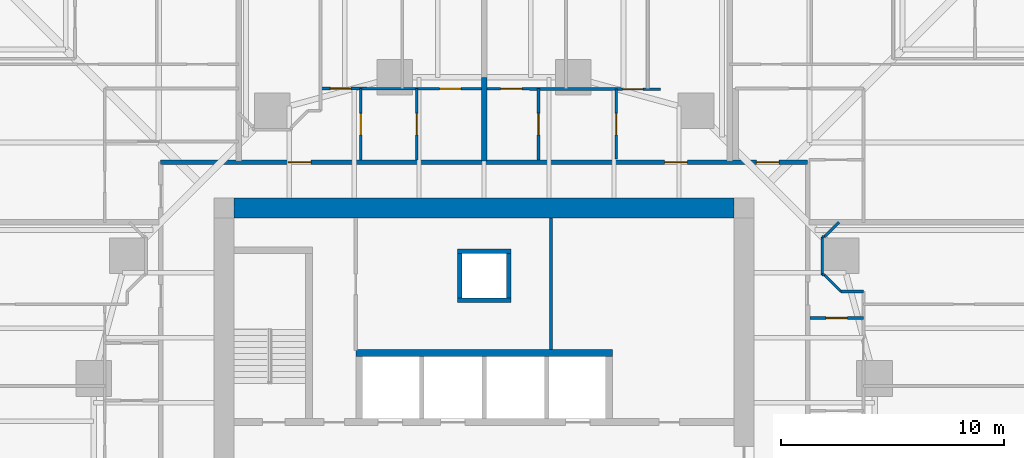
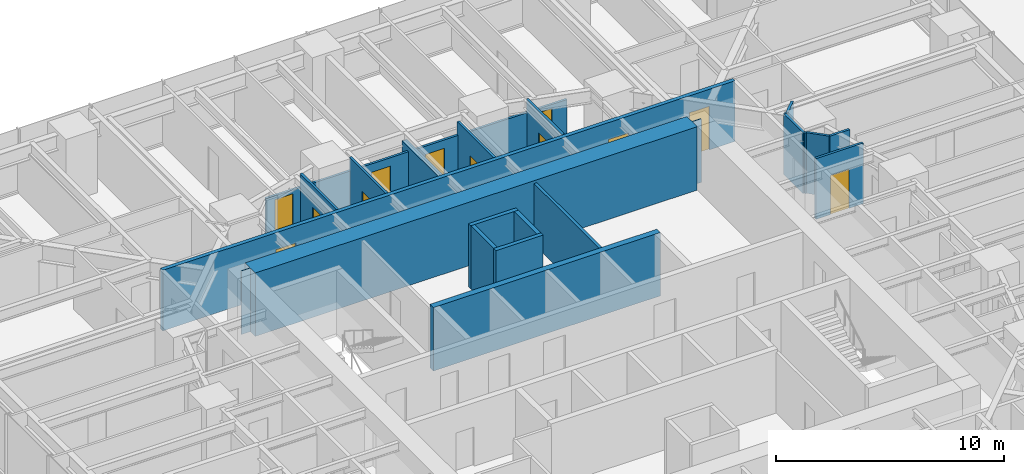
# One storey, part 12 of 15: 21 walls, 12 doors, 12 openings.
"""IFC4 building model written with IfcOpenShell, lengths in metres."""

from ifc_helpers import new_model, si_unit, direction, frame, frame_2d, origin, place, context, subcontext, project, spatial, polyline, rectangle, outline, extrude, material, layer, layer_set, type_object, element, fill, save


model = new_model("IFC4")

# Units and contexts
model_context = context("Model", 3, precision=1e-05, world=origin(), true_north=direction((0.0, 1.0)))
body_context = subcontext(model_context, "Body", "Model", "MODEL_VIEW")
ifc_project = project(units=[si_unit("LENGTHUNIT", "METRE"), si_unit("AREAUNIT", "SQUARE_METRE"), si_unit("VOLUMEUNIT", "CUBIC_METRE"), si_unit("PLANEANGLEUNIT", "RADIAN"), si_unit("MASSUNIT", "GRAM", prefix="KILO")], contexts=[model_context])

# Site, building, storey
site_placement = place(None, origin())
site = spatial("IfcSite", under=ifc_project, at=site_placement, CompositionType="ELEMENT")
building_placement = place(site_placement, origin())
building = spatial("IfcBuilding", under=site, at=building_placement, Name="Torsade Residences", CompositionType="ELEMENT")
storey_placement = place(building_placement, frame((0.0, 0.0, 15.0)))
storey = spatial("IfcBuildingStorey", under=building, at=storey_placement, Name="L03", CompositionType="ELEMENT", Elevation=15.0)

# Walls
ifc_material_1 = material(Name="Concrete 80 MPa", Category="concrete")
ifc_layer_1 = layer(ifc_material_1, 0.300048828125)
ifc_layer_set_1 = layer_set([ifc_layer_1], Name="Concrete 80 MPa")
wall_type_1 = type_object("IfcWallType", Name="CORE INTERNAL WALL 300", PredefinedType="SHEAR", material=ifc_layer_set_1)
wall_1_placement = place(storey_placement, frame((34.25, 35.14990234375, 0.0), z_axis=(0.0, 0.0, 1.0), x_axis=(1.0, 0.0, 0.0)))
element("IfcWall", 1, at=wall_1_placement, inside=storey, type_object=wall_type_1, Name="Core wall BN L03", PredefinedType="SHEAR", context=body_context, shape_type="SweptSolid", body=[
    extrude(rectangle(XDim=11.5, YDim=0.300048828125, at=frame_2d((5.75, 0.0))), origin(), (0.0, 0.0, 1.0), 3.39990234375),
])
ifc_material_2 = material(Name="Concrete 80 MPa", Category="concrete")
ifc_layer_2 = layer(ifc_material_2, 0.89990234375)
ifc_layer_set_2 = layer_set([ifc_layer_2], Name="Concrete 80 MPa")
wall_type_2 = type_object("IfcWallType", Name="CORE WALL 900", PredefinedType="SHEAR", material=ifc_layer_set_2)
wall_2_placement = place(storey_placement, frame((28.800048828125, 41.64990234375, 0.0), z_axis=(0.0, 0.0, 1.0), x_axis=(1.0, 0.0, 0.0)))
element("IfcWall", 2, at=wall_2_placement, inside=storey, type_object=wall_type_2, Name="Core wall N L03", PredefinedType="SHEAR", context=body_context, shape_type="SweptSolid", body=[
    extrude(outline(polyline([(0.0, -0.449951171875), (22.39990234375, -0.449951171875), (22.39990234375, -0.02490234375), (22.849853515625, -0.02490234375), (22.849853515625, 0.02490234375), (22.39990234375, 0.02490234375), (22.39990234375, 0.449951171875), (0.0, 0.449951171875), (0.0, 0.02490234375), (-0.449951171875, 0.02490234375), (-0.449951171875, -0.02490234375), (0.0, -0.02490234375), (0.0, -0.449951171875)])), origin(), (0.0, 0.0, 1.0), 3.39990234375),
])

# Wall, openings, doors
ifc_material_3 = material(Name="Plasterboard on steel stud", Category="steel")
ifc_layer_3 = layer(ifc_material_3, 0.199951171875)
ifc_layer_set_3 = layer_set([ifc_layer_3], Name="Plasterboard on steel stud")
wall_type_3 = type_object("IfcWallType", Name="CORRIDOR WALL 200", PredefinedType="PARTITIONING", material=ifc_layer_set_3)
wall_3_placement = place(storey_placement, frame((54.5, 43.699951171875, 0.0), z_axis=(0.0, 0.0, 1.0), x_axis=(-1.0, 0.0, 0.0)))
wall_3 = element("IfcWall", 3, at=wall_3_placement, inside=storey, type_object=wall_type_3, Name="Corridor wall L03", PredefinedType="PARTITIONING", context=body_context, shape_type="SweptSolid", body=[
    extrude(rectangle(XDim=29.0, YDim=0.199951171875, at=frame_2d((14.5, 0.0))), origin(), (0.0, 0.0, 1.0), 3.25),
])
opening_1_placement = place(wall_3_placement, frame((22.25341796875, 0.0, 0.0)))
opening_1 = element("IfcOpeningElement", 4, at=opening_1_placement, cuts=wall_3, Name="Opening D01", PredefinedType="OPENING", context=body_context, shape_type="SweptSolid", body=[
    extrude(rectangle(XDim=1.02001953125, YDim=2.340087890625, at=frame_2d((0.510009765625, 1.169921875))), frame((0.0, 0.10986328125, 0.0), z_axis=(0.0, -1.0, 0.0), x_axis=(1.0, 0.0, 0.0)), (0.0, 0.0, 1.0), 0.219970703125),
])
opening_2_placement = place(wall_3_placement, frame((5.39306640625, 0.0, 0.0)))
opening_2 = element("IfcOpeningElement", 5, at=opening_2_placement, cuts=wall_3, Name="Opening D01", PredefinedType="OPENING", context=body_context, shape_type="SweptSolid", body=[
    extrude(rectangle(XDim=1.02001953125, YDim=2.340087890625, at=frame_2d((0.510009765625, 1.169921875))), frame((0.0, 0.10986328125, 0.0), z_axis=(0.0, -1.0, 0.0), x_axis=(1.0, 0.0, 0.0)), (0.0, 0.0, 1.0), 0.219970703125),
])
opening_3_placement = place(wall_3_placement, frame((1.28125, 0.0, 0.0)))
opening_3 = element("IfcOpeningElement", 6, at=opening_3_placement, cuts=wall_3, Name="Opening D01", PredefinedType="OPENING", context=body_context, shape_type="SweptSolid", body=[
    extrude(rectangle(XDim=1.02001953125, YDim=2.340087890625, at=frame_2d((0.510009765625, 1.169921875))), frame((0.0, 0.10986328125, 0.0), z_axis=(0.0, -1.0, 0.0), x_axis=(1.0, 0.0, 0.0)), (0.0, 0.0, 1.0), 0.219970703125),
])
ifc_material_4 = material(Name="Solid-core timber fire door", Category="wood")
door_type_1 = type_object("IfcDoorType", Name="APARTMENT ENTRY DOOR 1020x2340", OperationType="NOTDEFINED", PredefinedType="DOOR", material=ifc_material_4)
door_1_placement = place(opening_1_placement, origin())
door_1 = element("IfcDoor", 7, at=door_1_placement, inside=storey, type_object=door_type_1, Name="Door Residential corridor to Kitchen and dining", OperationType="SINGLE_SWING_LEFT", OverallHeight=2.340087890625, OverallWidth=1.02001953125, PredefinedType="DOOR", context=body_context, shape_type="SweptSolid", body=[
    extrude(rectangle(XDim=1.02001953125, YDim=2.340087890625, at=frame_2d((0.510009765625, 1.169921875))), frame((0.0, 0.02490234375, 0.0), z_axis=(0.0, -1.0, 0.0), x_axis=(1.0, 0.0, 0.0)), (0.0, 0.0, 1.0), 0.050048828125),
])
fill(opening_1, door_1)
door_2_placement = place(opening_2_placement, origin())
door_2 = element("IfcDoor", 8, at=door_2_placement, inside=storey, type_object=door_type_1, Name="Door Residential corridor to Kitchen and dining", OperationType="SINGLE_SWING_LEFT", OverallHeight=2.340087890625, OverallWidth=1.02001953125, PredefinedType="DOOR", context=body_context, shape_type="SweptSolid", body=[
    extrude(rectangle(XDim=1.02001953125, YDim=2.340087890625, at=frame_2d((0.510009765625, 1.169921875))), frame((0.0, 0.02490234375, 0.0), z_axis=(0.0, -1.0, 0.0), x_axis=(1.0, 0.0, 0.0)), (0.0, 0.0, 1.0), 0.050048828125),
])
fill(opening_2, door_2)
door_3_placement = place(opening_3_placement, origin())
door_3 = element("IfcDoor", 9, at=door_3_placement, inside=storey, type_object=door_type_1, Name="Door Residential corridor to Kitchen and dining", OperationType="SINGLE_SWING_LEFT", OverallHeight=2.340087890625, OverallWidth=1.02001953125, PredefinedType="DOOR", context=body_context, shape_type="SweptSolid", body=[
    extrude(rectangle(XDim=1.02001953125, YDim=2.340087890625, at=frame_2d((0.510009765625, 1.169921875))), frame((0.0, 0.02490234375, 0.0), z_axis=(0.0, -1.0, 0.0), x_axis=(1.0, 0.0, 0.0)), (0.0, 0.0, 1.0), 0.050048828125),
])
fill(opening_3, door_3)

# Wall, opening, door
ifc_material_5 = material(Name="Plasterboard on steel stud", Category="steel")
ifc_layer_4 = layer(ifc_material_5, 0.1201171875)
ifc_layer_set_4 = layer_set([ifc_layer_4], Name="Plasterboard on steel stud")
wall_type_4 = type_object("IfcWallType", Name="PARTITION 120", PredefinedType="PARTITIONING", material=ifc_layer_set_4)
wall_4_placement = place(storey_placement, frame((57.0, 36.71630859375, 0.0), z_axis=(0.0, 0.0, 1.0), x_axis=(-1.0, 0.0, 0.0)))
wall_4 = element("IfcWall", 10, at=wall_4_placement, inside=storey, type_object=wall_type_4, Name="Partition L03", PredefinedType="PARTITIONING", context=body_context, shape_type="SweptSolid", body=[
    extrude(rectangle(XDim=2.39990234375, YDim=0.1201171875, at=frame_2d((1.199951171875, 0.0))), origin(), (0.0, 0.0, 1.0), 3.25),
])
opening_4_placement = place(wall_4_placement, frame((0.719970703125, 0.0, 0.0)))
opening_4 = element("IfcOpeningElement", 11, at=opening_4_placement, cuts=wall_4, Name="Opening D05", PredefinedType="OPENING", context=body_context, shape_type="SweptSolid", body=[
    extrude(rectangle(XDim=0.9599609375, YDim=2.10009765625, at=frame_2d((0.47998046875, 1.050048828125))), frame((0.0, 0.070068359375, 0.0), z_axis=(0.0, -1.0, 0.0), x_axis=(1.0, 0.0, 0.0)), (0.0, 0.0, 1.0), 0.14013671875),
])
ifc_material_6 = material(Name="Hollow-core timber door in a steel cavity frame", Category="steel")
door_type_2 = type_object("IfcDoorType", Name="BATHROOM CAVITY SLIDING DOOR 960", OperationType="SLIDING_TO_LEFT", PredefinedType="DOOR", material=ifc_material_6)
door_4_placement = place(opening_4_placement, origin())
door_4 = element("IfcDoor", 12, at=door_4_placement, inside=storey, type_object=door_type_2, Name="Door Kitchen and dining to Bathroom", OperationType="SLIDING_TO_LEFT", OverallHeight=2.10009765625, OverallWidth=0.9599609375, PredefinedType="DOOR", context=body_context, shape_type="SweptSolid", body=[
    extrude(rectangle(XDim=0.9599609375, YDim=2.10009765625, at=frame_2d((0.47998046875, 1.050048828125))), frame((0.0, 0.02490234375, 0.0), z_axis=(0.0, -1.0, 0.0), x_axis=(1.0, 0.0, 0.0)), (0.0, 0.0, 1.0), 0.050048828125),
])
fill(opening_4, door_4)

# Walls
wall_5_placement = place(storey_placement, frame((55.89990234375, 41.0, 0.0), z_axis=(0.0, 0.0, 1.0), x_axis=(-0.707106781187, -0.707106781187, 0.0)))
element("IfcWall", 13, at=wall_5_placement, inside=storey, type_object=wall_type_4, Name="Partition L03", PredefinedType="PARTITIONING", context=body_context, shape_type="SweptSolid", body=[
    extrude(rectangle(XDim=0.919189453125, YDim=0.1201171875, at=frame_2d((0.45947265625, 0.0))), origin(), (0.0, 0.0, 1.0), 3.25),
])
wall_6_placement = place(storey_placement, frame((55.14990234375, 40.35009765625, 0.0), z_axis=(0.0, 0.0, 1.0), x_axis=(0.0, -1.0, 0.0)))
element("IfcWall", 14, at=wall_6_placement, inside=storey, type_object=wall_type_4, Name="Partition L03", PredefinedType="PARTITIONING", context=body_context, shape_type="SweptSolid", body=[
    extrude(rectangle(XDim=1.7001953125, YDim=0.1201171875, at=frame_2d((0.85009765625, 0.0))), origin(), (0.0, 0.0, 1.0), 3.25),
])
wall_7_placement = place(storey_placement, frame((55.25, 38.64990234375, 0.0), z_axis=(0.0, 0.0, 1.0), x_axis=(0.707106781187, -0.707106781187, 0.0)))
element("IfcWall", 15, at=wall_7_placement, inside=storey, type_object=wall_type_4, Name="Partition L03", PredefinedType="PARTITIONING", context=body_context, shape_type="SweptSolid", body=[
    extrude(rectangle(XDim=1.060546875, YDim=0.1201171875, at=frame_2d((0.5302734375, 0.0))), origin(), (0.0, 0.0, 1.0), 3.25),
])
wall_8_placement = place(storey_placement, frame((56.0, 37.89990234375, 0.0), z_axis=(0.0, 0.0, 1.0), x_axis=(1.0, 0.0, 0.0)))
element("IfcWall", 16, at=wall_8_placement, inside=storey, type_object=wall_type_4, Name="Partition L03", PredefinedType="PARTITIONING", context=body_context, shape_type="SweptSolid", body=[
    extrude(rectangle(XDim=1.0, YDim=0.1201171875, at=frame_2d((0.5, 0.0))), origin(), (0.0, 0.0, 1.0), 3.25),
])

# Wall, opening, door
wall_9_placement = place(storey_placement, frame((45.92626953125, 43.830078125, 0.0), z_axis=(0.0, 0.0, 1.0), x_axis=(0.0, 1.0, 0.0)))
wall_9 = element("IfcWall", 17, at=wall_9_placement, inside=storey, type_object=wall_type_4, Name="Partition L03", PredefinedType="PARTITIONING", context=body_context, shape_type="SweptSolid", body=[
    extrude(rectangle(XDim=3.139892578125, YDim=0.1201171875, at=frame_2d((1.56982421875, 0.0))), origin(), (0.0, 0.0, 1.0), 3.25),
])
opening_5_placement = place(wall_9_placement, frame((1.090087890625, 0.0, 0.0)))
opening_5 = element("IfcOpeningElement", 18, at=opening_5_placement, cuts=wall_9, Name="Opening D05", PredefinedType="OPENING", context=body_context, shape_type="SweptSolid", body=[
    extrude(rectangle(XDim=0.9599609375, YDim=2.10009765625, at=frame_2d((0.47998046875, 1.050048828125))), frame((0.0, 0.070068359375, 0.0), z_axis=(0.0, -1.0, 0.0), x_axis=(1.0, 0.0, 0.0)), (0.0, 0.0, 1.0), 0.14013671875),
])
door_5_placement = place(opening_5_placement, origin())
door_5 = element("IfcDoor", 19, at=door_5_placement, inside=storey, type_object=door_type_2, Name="Door Kitchen and dining to Bathroom", OperationType="SLIDING_TO_LEFT", OverallHeight=2.10009765625, OverallWidth=0.9599609375, PredefinedType="DOOR", context=body_context, shape_type="SweptSolid", body=[
    extrude(rectangle(XDim=0.9599609375, YDim=2.10009765625, at=frame_2d((0.47998046875, 1.050048828125))), frame((0.0, 0.02490234375, 0.0), z_axis=(0.0, -1.0, 0.0), x_axis=(1.0, 0.0, 0.0)), (0.0, 0.0, 1.0), 0.050048828125),
])
fill(opening_5, door_5)

# Wall, openings, doors
wall_10_placement = place(storey_placement, frame((32.666748046875, 47.0, 0.0), z_axis=(0.0, 0.0, 1.0), x_axis=(0.999998056971, -0.001971307974, 0.0)))
wall_10 = element("IfcWall", 20, at=wall_10_placement, inside=storey, type_object=wall_type_4, Name="Partition L03", PredefinedType="PARTITIONING", context=body_context, shape_type="SweptSolid", body=[
    extrude(rectangle(XDim=15.233154296875, YDim=0.1201171875, at=frame_2d((7.61669921875, 0.0))), origin(), (0.0, 0.0, 1.0), 2.549072265625),
])
opening_6_placement = place(wall_10_placement, frame((0.443359375, 0.0, 0.0)))
opening_6 = element("IfcOpeningElement", 21, at=opening_6_placement, cuts=wall_10, Name="Opening D02", PredefinedType="OPENING", context=body_context, shape_type="SweptSolid", body=[
    extrude(rectangle(XDim=0.919921875, YDim=2.340087890625, at=frame_2d((0.4599609375, 1.169921875))), frame((0.0, 0.070068359375, 0.0), z_axis=(0.0, -1.0, 0.0), x_axis=(1.0, 0.0, 0.0)), (0.0, 0.0, 1.0), 0.14013671875),
])
opening_7_placement = place(wall_10_placement, frame((13.54296875, 0.0, 0.0)))
opening_7 = element("IfcOpeningElement", 22, at=opening_7_placement, cuts=wall_10, Name="Opening D02", PredefinedType="OPENING", context=body_context, shape_type="SweptSolid", body=[
    extrude(rectangle(XDim=0.919921875, YDim=2.340087890625, at=frame_2d((0.4599609375, 1.169921875))), frame((0.0, 0.070068359375, 0.0), z_axis=(0.0, -1.0, 0.0), x_axis=(1.0, 0.0, 0.0)), (0.0, 0.0, 1.0), 0.14013671875),
])
opening_8_placement = place(wall_10_placement, frame((5.34033203125, 0.0, 0.0)))
opening_8 = element("IfcOpeningElement", 23, at=opening_8_placement, cuts=wall_10, Name="Opening D05", PredefinedType="OPENING", context=body_context, shape_type="SweptSolid", body=[
    extrude(rectangle(XDim=0.9599609375, YDim=2.10009765625, at=frame_2d((0.47998046875, 1.050048828125))), frame((0.0, 0.070068359375, 0.0), z_axis=(0.0, -1.0, 0.0), x_axis=(1.0, 0.0, 0.0)), (0.0, 0.0, 1.0), 0.14013671875),
])
opening_9_placement = place(wall_10_placement, frame((8.072998046875, 0.0, 0.0)))
opening_9 = element("IfcOpeningElement", 24, at=opening_9_placement, cuts=wall_10, Name="Opening D05", PredefinedType="OPENING", context=body_context, shape_type="SweptSolid", body=[
    extrude(rectangle(XDim=0.9599609375, YDim=2.10009765625, at=frame_2d((0.47998046875, 1.050048828125))), frame((0.0, 0.070068359375, 0.0), z_axis=(0.0, -1.0, 0.0), x_axis=(1.0, 0.0, 0.0)), (0.0, 0.0, 1.0), 0.14013671875),
])
door_6_placement = place(opening_8_placement, origin())
door_6 = element("IfcDoor", 25, at=door_6_placement, inside=storey, type_object=door_type_2, Name="Door Bathroom to Living room", OperationType="SLIDING_TO_LEFT", OverallHeight=2.10009765625, OverallWidth=0.9599609375, PredefinedType="DOOR", context=body_context, shape_type="SweptSolid", body=[
    extrude(rectangle(XDim=0.9599609375, YDim=2.10009765625, at=frame_2d((0.47998046875, 1.050048828125))), frame((0.0, 0.02490234375, 0.0), z_axis=(0.0, -1.0, 0.0), x_axis=(1.0, 0.0, 0.0)), (0.0, 0.0, 1.0), 0.050048828125),
])
fill(opening_8, door_6)
door_7_placement = place(opening_9_placement, origin())
door_7 = element("IfcDoor", 26, at=door_7_placement, inside=storey, type_object=door_type_2, Name="Door Ensuite to Bedroom 1", OperationType="SLIDING_TO_LEFT", OverallHeight=2.10009765625, OverallWidth=0.9599609375, PredefinedType="DOOR", context=body_context, shape_type="SweptSolid", body=[
    extrude(rectangle(XDim=0.9599609375, YDim=2.10009765625, at=frame_2d((0.47998046875, 1.050048828125))), frame((0.0, 0.02490234375, 0.0), z_axis=(0.0, -1.0, 0.0), x_axis=(1.0, 0.0, 0.0)), (0.0, 0.0, 1.0), 0.050048828125),
])
fill(opening_9, door_7)
ifc_material_7 = material(Name="Hollow-core timber door", Category="wood")
door_type_3 = type_object("IfcDoorType", Name="INTERNAL DOOR 920x2340", OperationType="NOTDEFINED", PredefinedType="DOOR", material=ifc_material_7)
door_8_placement = place(opening_6_placement, origin())
door_8 = element("IfcDoor", 27, at=door_8_placement, inside=storey, type_object=door_type_3, Name="Door Kitchen and dining to Bedroom 2", OperationType="SINGLE_SWING_LEFT", OverallHeight=2.340087890625, OverallWidth=0.919921875, PredefinedType="DOOR", context=body_context, shape_type="SweptSolid", body=[
    extrude(rectangle(XDim=0.919921875, YDim=2.340087890625, at=frame_2d((0.4599609375, 1.169921875))), frame((0.0, 0.02490234375, 0.0), z_axis=(0.0, -1.0, 0.0), x_axis=(1.0, 0.0, 0.0)), (0.0, 0.0, 1.0), 0.050048828125),
])
fill(opening_6, door_8)
door_9_placement = place(opening_7_placement, origin())
door_9 = element("IfcDoor", 28, at=door_9_placement, inside=storey, type_object=door_type_3, Name="Door Kitchen and dining to Bedroom 2", OperationType="SINGLE_SWING_RIGHT", OverallHeight=2.340087890625, OverallWidth=0.919921875, PredefinedType="DOOR", context=body_context, shape_type="SweptSolid", body=[
    extrude(rectangle(XDim=0.919921875, YDim=2.340087890625, at=frame_2d((0.4599609375, 1.169921875))), frame((0.0, 0.02490234375, 0.0), z_axis=(0.0, -1.0, 0.0), x_axis=(1.0, 0.0, 0.0)), (0.0, 0.0, 1.0), 0.050048828125),
])
fill(opening_7, door_9)

# Wall, opening, door
wall_11_placement = place(storey_placement, frame((42.439697265625, 43.800048828125, 0.0), z_axis=(0.0, 0.0, 1.0), x_axis=(0.0, 1.0, 0.0)))
wall_11 = element("IfcWall", 29, at=wall_11_placement, inside=storey, type_object=wall_type_4, Name="Partition L03", PredefinedType="PARTITIONING", context=body_context, shape_type="SweptSolid", body=[
    extrude(rectangle(XDim=3.199951171875, YDim=0.1201171875, at=frame_2d((1.60009765625, 0.0))), origin(), (0.0, 0.0, 1.0), 3.25),
])
opening_10_placement = place(wall_11_placement, frame((1.1201171875, 0.0, 0.0)))
opening_10 = element("IfcOpeningElement", 30, at=opening_10_placement, cuts=wall_11, Name="Opening D05", PredefinedType="OPENING", context=body_context, shape_type="SweptSolid", body=[
    extrude(rectangle(XDim=0.9599609375, YDim=2.10009765625, at=frame_2d((0.47998046875, 1.050048828125))), frame((0.0, 0.070068359375, 0.0), z_axis=(0.0, -1.0, 0.0), x_axis=(1.0, 0.0, 0.0)), (0.0, 0.0, 1.0), 0.14013671875),
])
door_10_placement = place(opening_10_placement, origin())
door_10 = element("IfcDoor", 31, at=door_10_placement, inside=storey, type_object=door_type_2, Name="Door Bathroom to Ensuite", OperationType="SLIDING_TO_LEFT", OverallHeight=2.10009765625, OverallWidth=0.9599609375, PredefinedType="DOOR", context=body_context, shape_type="SweptSolid", body=[
    extrude(rectangle(XDim=0.9599609375, YDim=2.10009765625, at=frame_2d((0.47998046875, 1.050048828125))), frame((0.0, 0.02490234375, 0.0), z_axis=(0.0, -1.0, 0.0), x_axis=(1.0, 0.0, 0.0)), (0.0, 0.0, 1.0), 0.050048828125),
])
fill(opening_10, door_10)

wall_12_placement = place(storey_placement, frame((34.473388671875, 47.0, 0.0), z_axis=(0.0, 0.0, 1.0), x_axis=(0.0, -1.0, 0.0)))
wall_12 = element("IfcWall", 32, at=wall_12_placement, inside=storey, type_object=wall_type_4, Name="Partition L03", PredefinedType="PARTITIONING", context=body_context, shape_type="SweptSolid", body=[
    extrude(rectangle(XDim=3.199951171875, YDim=0.1201171875, at=frame_2d((1.60009765625, 0.0))), origin(), (0.0, 0.0, 1.0), 3.25),
])
opening_11_placement = place(wall_12_placement, frame((1.1201171875, 0.0, 0.0)))
opening_11 = element("IfcOpeningElement", 33, at=opening_11_placement, cuts=wall_12, Name="Opening D05", PredefinedType="OPENING", context=body_context, shape_type="SweptSolid", body=[
    extrude(rectangle(XDim=0.9599609375, YDim=2.10009765625, at=frame_2d((0.47998046875, 1.050048828125))), frame((0.0, 0.070068359375, 0.0), z_axis=(0.0, -1.0, 0.0), x_axis=(1.0, 0.0, 0.0)), (0.0, 0.0, 1.0), 0.14013671875),
])
door_11_placement = place(opening_11_placement, origin())
door_11 = element("IfcDoor", 34, at=door_11_placement, inside=storey, type_object=door_type_2, Name="Door Kitchen and dining to Ensuite", OperationType="SLIDING_TO_LEFT", OverallHeight=2.10009765625, OverallWidth=0.9599609375, PredefinedType="DOOR", context=body_context, shape_type="SweptSolid", body=[
    extrude(rectangle(XDim=0.9599609375, YDim=2.10009765625, at=frame_2d((0.47998046875, 1.050048828125))), frame((0.0, 0.02490234375, 0.0), z_axis=(0.0, -1.0, 0.0), x_axis=(1.0, 0.0, 0.0)), (0.0, 0.0, 1.0), 0.050048828125),
])
fill(opening_11, door_11)

wall_13_placement = place(storey_placement, frame((36.97412109375, 43.800048828125, 0.0), z_axis=(0.0, 0.0, 1.0), x_axis=(0.0, 1.0, 0.0)))
wall_13 = element("IfcWall", 35, at=wall_13_placement, inside=storey, type_object=wall_type_4, Name="Partition L03", PredefinedType="PARTITIONING", context=body_context, shape_type="SweptSolid", body=[
    extrude(rectangle(XDim=3.199951171875, YDim=0.1201171875, at=frame_2d((1.60009765625, 0.0))), origin(), (0.0, 0.0, 1.0), 3.25),
])
opening_12_placement = place(wall_13_placement, frame((1.1201171875, 0.0, 0.0)))
opening_12 = element("IfcOpeningElement", 36, at=opening_12_placement, cuts=wall_13, Name="Opening D05", PredefinedType="OPENING", context=body_context, shape_type="SweptSolid", body=[
    extrude(rectangle(XDim=0.9599609375, YDim=2.10009765625, at=frame_2d((0.47998046875, 1.050048828125))), frame((0.0, 0.070068359375, 0.0), z_axis=(0.0, -1.0, 0.0), x_axis=(1.0, 0.0, 0.0)), (0.0, 0.0, 1.0), 0.14013671875),
])
door_12_placement = place(opening_12_placement, origin())
door_12 = element("IfcDoor", 37, at=door_12_placement, inside=storey, type_object=door_type_2, Name="Door Ensuite to Bathroom", OperationType="SLIDING_TO_LEFT", OverallHeight=2.10009765625, OverallWidth=0.9599609375, PredefinedType="DOOR", context=body_context, shape_type="SweptSolid", body=[
    extrude(rectangle(XDim=0.9599609375, YDim=2.10009765625, at=frame_2d((0.47998046875, 1.050048828125))), frame((0.0, 0.02490234375, 0.0), z_axis=(0.0, -1.0, 0.0), x_axis=(1.0, 0.0, 0.0)), (0.0, 0.0, 1.0), 0.050048828125),
])
fill(opening_12, door_12)

# Walls
for number, where, z_axis, x_axis, name in (
    (38, (55.14990234375, 40.35009765625, 0.0), (0.0, 0.0, 1.0), (1.0, 0.0, 0.0), "Partition L03"),
    (39, (55.14990234375, 38.64990234375, 0.0), (0.0, 0.0, 1.0), (1.0, 0.0, 0.0), "Partition L03"),
):
    element("IfcWall", number, at=place(storey_placement, frame(where, z_axis=z_axis, x_axis=x_axis)), inside=storey, type_object=wall_type_4, Name=name, PredefinedType="PARTITIONING", context=body_context, shape_type="SweptSolid", body=[
        extrude(rectangle(XDim=0.10009765625, YDim=0.1201171875, at=frame_2d((0.050048828125, 0.0))), origin(), (0.0, 0.0, 1.0), 3.25),
    ])
ifc_material_8 = material(Name="Masonry-lined stud party wall", Category="masonry")
ifc_layer_5 = layer(ifc_material_8, 0.25)
ifc_layer_set_5 = layer_set([ifc_layer_5], Name="Masonry-lined stud party wall")
wall_type_5 = type_object("IfcWallType", Name="PARTY WALL 250", PredefinedType="PARTITIONING", material=ifc_layer_set_5)
wall_14_placement = place(storey_placement, frame((40.0, 47.5, 0.0), z_axis=(0.0, 0.0, 1.0), x_axis=(0.0, -1.0, 0.0)))
element("IfcWall", 40, at=wall_14_placement, inside=storey, type_object=wall_type_5, Name="Party wall L03", PredefinedType="PARTITIONING", context=body_context, shape_type="SweptSolid", body=[
    extrude(rectangle(XDim=3.739990234375, YDim=0.25, at=frame_2d((1.8701171875, 0.0))), origin(), (0.0, 0.0, 1.0), 2.7958984375),
])
ifc_material_9 = material(Name="Reinforced blockwork", Category="masonry")
ifc_layer_6 = layer(ifc_material_9, 0.199951171875)
ifc_layer_set_6 = layer_set([ifc_layer_6], Name="Reinforced blockwork")
wall_type_6 = type_object("IfcWallType", Name="RISER SHAFT WALL 200", PredefinedType="SOLIDWALL", material=ifc_layer_set_6)
for number, where, z_axis, x_axis, name in (
    (41, (38.89990234375, 37.60009765625, 0.0), (0.0, 0.0, 1.0), (0.0, 1.0, 0.0), "Core wall RS1a L03"),
    (42, (41.10009765625, 37.60009765625, 0.0), (0.0, 0.0, 1.0), (0.0, 1.0, 0.0), "Core wall RS1b L03"),
):
    element("IfcWall", number, at=place(storey_placement, frame(where, z_axis=z_axis, x_axis=x_axis)), inside=storey, type_object=wall_type_6, Name=name, PredefinedType="SOLIDWALL", context=body_context, shape_type="SweptSolid", body=[
        extrude(rectangle(XDim=2.0, YDim=0.199951171875, at=frame_2d((1.0, 0.0))), origin(), (0.0, 0.0, 1.0), 3.39990234375),
    ])
for number, where, z_axis, x_axis, name in (
    (43, (38.800048828125, 37.5, 0.0), (0.0, 0.0, 1.0), (1.0, 0.0, 0.0), "Core wall RS1c L03"),
    (44, (38.800048828125, 39.699951171875, 0.0), (0.0, 0.0, 1.0), (1.0, 0.0, 0.0), "Core wall RS1d L03"),
):
    element("IfcWall", number, at=place(storey_placement, frame(where, z_axis=z_axis, x_axis=x_axis)), inside=storey, type_object=wall_type_6, Name=name, PredefinedType="SOLIDWALL", context=body_context, shape_type="SweptSolid", body=[
        extrude(rectangle(XDim=2.39990234375, YDim=0.199951171875, at=frame_2d((1.199951171875, 0.0))), origin(), (0.0, 0.0, 1.0), 3.39990234375),
    ])
ifc_material_10 = material(Name="Reinforced blockwork", Category="masonry")
ifc_layer_7 = layer(ifc_material_10, 0.14990234375)
ifc_layer_set_7 = layer_set([ifc_layer_7], Name="Reinforced blockwork")
wall_type_7 = type_object("IfcWallType", Name="SERVICE ROOM WALL 150", PredefinedType="SOLIDWALL", material=ifc_layer_set_7)
wall_15_placement = place(storey_placement, frame((43.0, 41.199951171875, 0.0), z_axis=(0.0, 0.0, 1.0), x_axis=(0.0, -1.0, 0.0)))
element("IfcWall", 45, at=wall_15_placement, inside=storey, type_object=wall_type_7, Name="Service room wall L03", PredefinedType="SOLIDWALL", context=body_context, shape_type="SweptSolid", body=[
    extrude(rectangle(XDim=5.89990234375, YDim=0.14990234375, at=frame_2d((2.949951171875, 0.0))), origin(), (0.0, 0.0, 1.0), 3.25),
])

save(model, "model.ifc")
